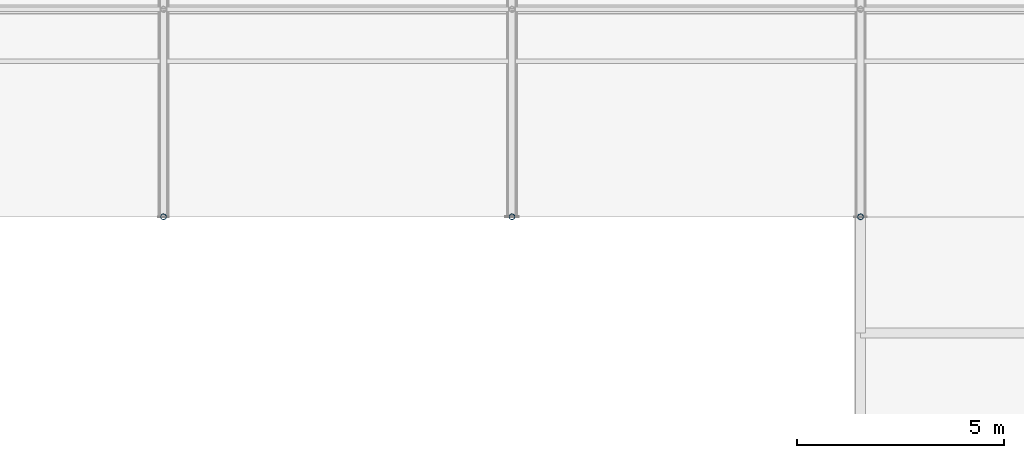
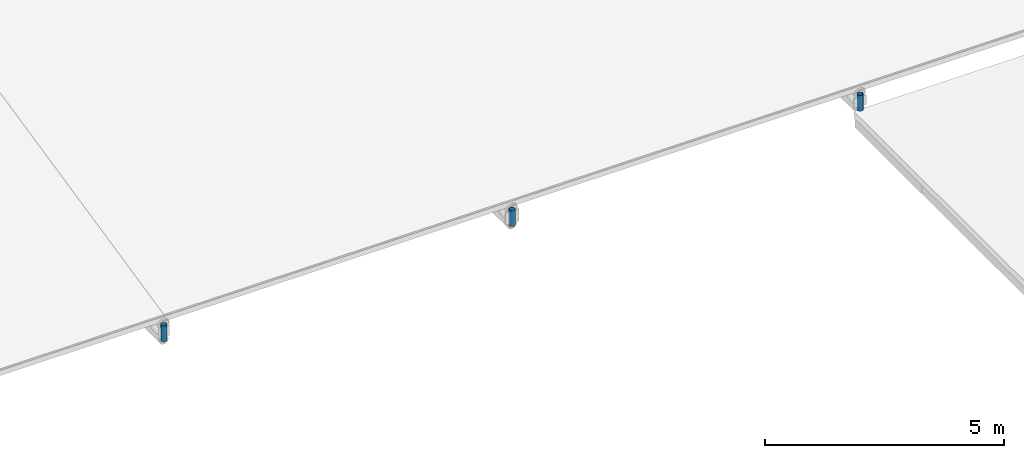
# One storey, part 131 of 194: 3 members.
"""IFC4 building model written with IfcOpenShell, lengths in metres."""

from ifc_helpers import new_model, si_unit, direction, frame, origin, origin_2d, place, context, subcontext, project, spatial, hollow_circle, extrude, material, material_profile, profile_set, type_object, element, save


model = new_model("IFC4")

# Units and contexts
model_context = context("Model", 3, precision=1e-05, world=origin(), true_north=direction((0.0, 1.0)))
body_context = subcontext(model_context, "Body", "Model", "MODEL_VIEW")
ifc_project = project(units=[si_unit("LENGTHUNIT", "METRE"), si_unit("AREAUNIT", "SQUARE_METRE"), si_unit("VOLUMEUNIT", "CUBIC_METRE"), si_unit("PLANEANGLEUNIT", "RADIAN"), si_unit("MASSUNIT", "GRAM", prefix="KILO")], contexts=[model_context])

# Site, building, storey
site_placement = place(None, origin())
site = spatial("IfcSite", under=ifc_project, at=site_placement, CompositionType="ELEMENT")
building_placement = place(site_placement, origin())
building = spatial("IfcBuilding", under=site, at=building_placement, Name="Kazenagashi Tramway Depot", CompositionType="ELEMENT")
storey_placement = place(building_placement, frame((0.0, 0.0, 23.7)))
storey = spatial("IfcBuildingStorey", under=building, at=storey_placement, Name="ROOF", CompositionType="ELEMENT", Elevation=23.7)

# Members
ifc_material = material(Name="Steel STK490", Category="steel")
ifc_material_profile = material_profile(ifc_material, hollow_circle(Radius=0.0699, WallThickness=0.0066, at=origin_2d()), Name="CHS-139.8x6.6")
ifc_profile_set = profile_set([ifc_material_profile], Name="Steel STK490")
member_type = type_object("IfcMemberType", Name="TS-02", PredefinedType="STRUT", material=ifc_profile_set)
for number, where, z_axis, x_axis, name in (
    (1, (70.0, 70.0, -14.1), (0.0, 0.0, 1.0), (1.0, 0.0, 0.0), "Tubular Space Frame TS-02 MEM-0202"),
    (2, (78.4, 70.0, -14.1), (0.0, 0.0, 1.0), (1.0, 0.0, 0.0), "Tubular Space Frame TS-02 MEM-0263"),
    (3, (86.8, 70.0, -14.1), (0.0, 0.0, 1.0), (1.0, 0.0, 0.0), "Tubular Space Frame TS-02 MEM-0324"),
):
    element("IfcMember", number, at=place(storey_placement, frame(where, z_axis=z_axis, x_axis=x_axis)), inside=storey, type_object=member_type, Name=name, PredefinedType="STRUT", context=body_context, shape_type="SweptSolid", body=[
        extrude(hollow_circle(Radius=0.0699, WallThickness=0.0066, at=origin_2d()), origin(), (0.0, 0.0, 1.0), 0.4),
    ])

save(model, "model.ifc")
